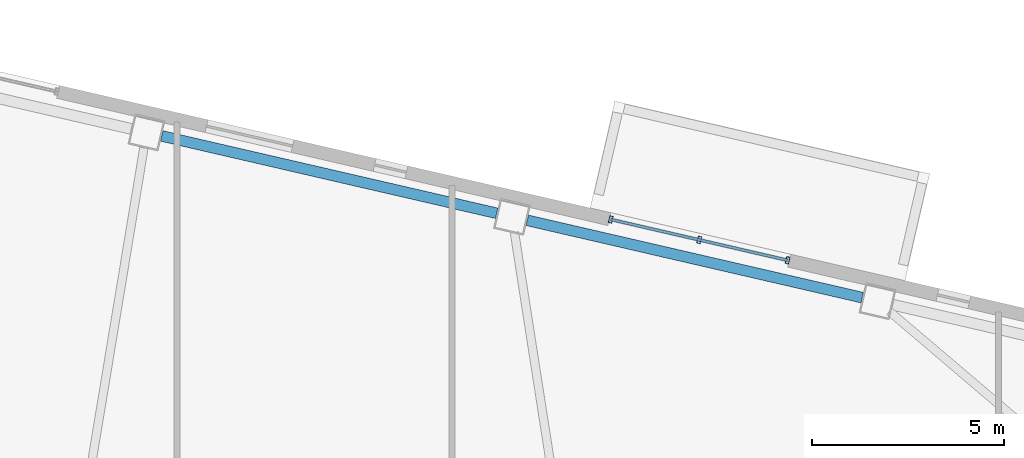
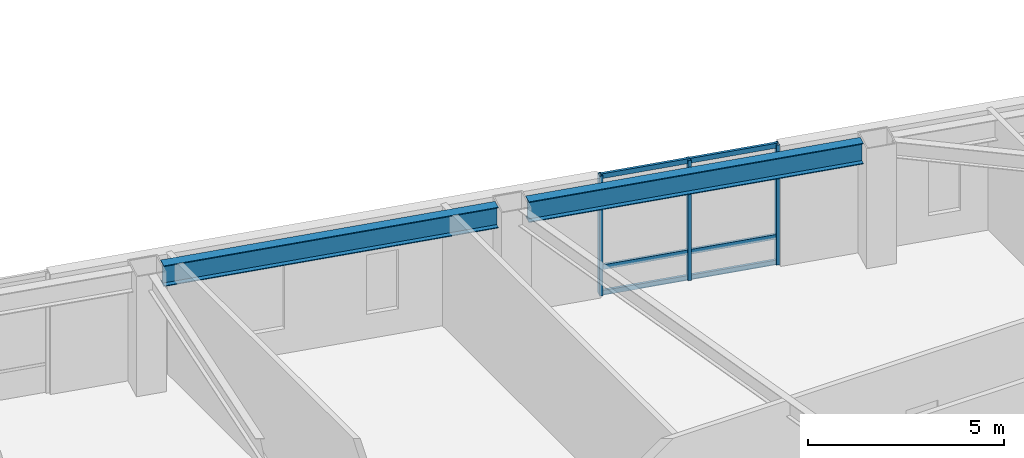
# One storey, part 7 of 19: 6 members, 2 beams, 1 element without a shape of its own.
"""IFC4 building model written with IfcOpenShell, lengths in metres."""

import ifcopenshell
import ifcopenshell.guid

model = None  # the IFC model being written
_history = None  # IfcOwnerHistory: only IFC2X3 demands one
_inside = {}  # id of a spatial element -> (the spatial element, [elements in it])
_under = {}  # id of a project, library or spatial element -> (it, [spatial elements below it])
_declared = {}  # id of a project -> (the project, [libraries it declares])
_typed = {}  # id of a type object -> (the type object, [elements of that type])
_made_of = {}  # id of a material, layer set ... -> (it, [elements and type objects made of it])


def new_model(schema):
    """Start an empty IFC model of exactly this schema.

    Asked for "IFC4X3", IfcOpenShell would pick the latest addendum, in which some entities
    have other attributes; the version numbers below select the first issue.
    IFC2X3 requires an IfcOwnerHistory on every rooted entity: one is made here for all.
    """
    global model, _history
    if schema == "IFC4X3":
        model = ifcopenshell.file(schema_version=(4, 3, 0, 0))
    else:
        model = ifcopenshell.file(schema=schema)
    _inside.clear()
    _under.clear()
    _declared.clear()
    _typed.clear()
    _made_of.clear()
    _history = None
    if model.schema == "IFC2X3":
        org = make("IfcOrganization", Name="unknown")
        user = make(
            "IfcPersonAndOrganization",
            ThePerson=make("IfcPerson", FamilyName="unknown"),
            TheOrganization=org,
        )
        app = make(
            "IfcApplication",
            ApplicationDeveloper=org,
            Version="unknown",
            ApplicationFullName="unknown",
            ApplicationIdentifier="unknown",
        )
        _history = make(
            "IfcOwnerHistory",
            OwningUser=user,
            OwningApplication=app,
            ChangeAction="ADDED",
            CreationDate=0,
        )
    return model


def make(cls, **values):
    """One entity of the class cls with the attributes given. An attribute that is None is left unset."""
    return model.create_entity(
        cls, **{name: value for name, value in values.items() if value is not None}
    )


def rooted(cls, **values):
    """An entity with a GlobalId (a new one), such as an element, a storey or a relation."""
    return make(cls, GlobalId=ifcopenshell.guid.new(), OwnerHistory=_history, **values)


def si_unit(unit_type, name, prefix=None):
    """IfcSIUnit, for example si_unit("LENGTHUNIT", "METRE", prefix="MILLI")."""
    return make("IfcSIUnit", UnitType=unit_type, Prefix=prefix, Name=name)


def assignment(units):
    """IfcUnitAssignment: the units of a project."""
    return None if units is None else make("IfcUnitAssignment", Units=units)


def point(xyz):
    """IfcCartesianPoint."""
    return None if xyz is None else make("IfcCartesianPoint", Coordinates=xyz)


def direction(xyz):
    """IfcDirection."""
    return None if xyz is None else make("IfcDirection", DirectionRatios=xyz)


def frame(location, z_axis=None, x_axis=None):
    """IfcAxis2Placement3D, a coordinate frame: its origin and axes. An axis left out is left unset."""
    return make(
        "IfcAxis2Placement3D",
        Location=point(location),
        Axis=direction(z_axis),
        RefDirection=direction(x_axis),
    )


def frame_2d(location, x_axis=None):
    """IfcAxis2Placement2D, a coordinate frame in the plane: its origin and x axis."""
    return make(
        "IfcAxis2Placement2D", Location=point(location), RefDirection=direction(x_axis)
    )


def origin():
    """The frame at (0, 0, 0) with its axes left unset."""
    return frame((0.0, 0.0, 0.0))


def origin_2d():
    """The frame at (0, 0) in the plane with its x axis left unset."""
    return frame_2d((0.0, 0.0))


def place(relative_to, where):
    """IfcLocalPlacement: puts the frame where relative to a parent placement (None: the world)."""
    return make(
        "IfcLocalPlacement", PlacementRelTo=relative_to, RelativePlacement=where
    )


def context(
    kind, dimensions, precision=None, world=None, true_north=None, identifier=None
):
    """IfcGeometricRepresentationContext, for example the 3D "Model" context."""
    return make(
        "IfcGeometricRepresentationContext",
        ContextIdentifier=identifier,
        ContextType=kind,
        CoordinateSpaceDimension=dimensions,
        Precision=precision,
        WorldCoordinateSystem=world,
        TrueNorth=true_north,
    )


def subcontext(parent, identifier, kind, view, scale=None):
    """IfcGeometricRepresentationSubContext, for example "Body" below "Model"."""
    return make(
        "IfcGeometricRepresentationSubContext",
        ContextIdentifier=identifier,
        ContextType=kind,
        ParentContext=parent,
        TargetScale=scale,
        TargetView=view,
    )


def project(units=None, contexts=None):
    """IfcProject with its units and contexts."""
    return rooted(
        "IfcProject",
        Name="project",
        RepresentationContexts=contexts,
        UnitsInContext=assignment(units),
    )


def spatial(cls, under=None, at=None, **own):
    """A site, building, storey or space (cls), placed at a placement, below another one or the project."""
    s = rooted(cls, ObjectPlacement=at, **own)
    if under is not None:
        _under.setdefault(under.id(), (under, []))[1].append(s)
    return s


def profile(cls, at=None, kind="AREA", **sizes):
    """A parametric profile (cls). Its sizes go by their IFC names, for example OverallWidth=200.0."""
    return make(cls, ProfileType=kind, Position=at, **sizes)


def hollow_rectangle(**sizes):
    """IfcRectangleHollowProfileDef."""
    return profile("IfcRectangleHollowProfileDef", **sizes)


def i_section(**sizes):
    """IfcIShapeProfileDef."""
    return profile("IfcIShapeProfileDef", **sizes)


def extrude(swept, where, along, depth):
    """IfcExtrudedAreaSolid: the profile swept, set in the frame where, extruded along a direction by depth."""
    return make(
        "IfcExtrudedAreaSolid",
        SweptArea=swept,
        Position=where,
        ExtrudedDirection=direction(along),
        Depth=depth,
    )


def shape(context_of_items, identifier, shape_type, items):
    """IfcShapeRepresentation: the items that make up one representation, for example the "Body"."""
    return make(
        "IfcShapeRepresentation",
        ContextOfItems=context_of_items,
        RepresentationIdentifier=identifier,
        RepresentationType=shape_type,
        Items=items,
    )


def material(Name=None, Category=None):
    """IfcMaterial."""
    return make("IfcMaterial", Name=Name, Category=Category)


def layer(
    of_material, thickness, ventilated=None, Name=None, Category=None, Priority=None
):
    """IfcMaterialLayer: one layer of a wall or slab, of a material (None: an air gap)."""
    return make(
        "IfcMaterialLayer",
        Material=of_material,
        LayerThickness=thickness,
        IsVentilated=ventilated,
        Name=Name,
        Category=Category,
        Priority=Priority,
    )


def layer_set(layers, Name=None):
    """IfcMaterialLayerSet."""
    return make("IfcMaterialLayerSet", MaterialLayers=layers, LayerSetName=Name)


def material_profile(
    of_material, cross_section, Name=None, Category=None, Priority=None
):
    """IfcMaterialProfile: a cross section and its material."""
    return make(
        "IfcMaterialProfile",
        Name=Name,
        Material=of_material,
        Profile=cross_section,
        Priority=Priority,
        Category=Category,
    )


def profile_set(profiles, Name=None, composite=None):
    """IfcMaterialProfileSet."""
    return make(
        "IfcMaterialProfileSet",
        Name=Name,
        MaterialProfiles=profiles,
        CompositeProfile=composite,
    )


def made_of(thing, what):
    """Note that an element or type object is made of a material, layer set ...; save() writes the relation."""
    if what is not None:
        _made_of.setdefault(what.id(), (what, []))[1].append(thing)
    return thing


def type_object(cls, material=None, **own):
    """A type object (cls), such as IfcWallType, which elements share."""
    return made_of(rooted(cls, **own), material)


def element(
    cls,
    number,
    at=None,
    inside=None,
    cuts=None,
    type_object=None,
    material=None,
    context=None,
    identifier="Body",
    shape_type=None,
    held_by="IfcProductDefinitionShape",
    body=None,
    shapes=None,
    **own,
):
    """One element of the class cls, such as IfcWall. Its Tag is "e" and its number.

    at: its placement. inside: the storey or other place that contains it. cuts: it is an
    opening in that element (IfcRelVoidsElement). A single representation is given by context,
    identifier, shape_type and body (its items); several are given by shapes. held_by: the class
    of the entity that holds the representations. save() writes the other relations.
    """
    e = rooted(cls, Tag="e%d" % number, ObjectPlacement=at, **own)
    if body is not None:
        shapes = [shape(context, identifier, shape_type, body)]
    if shapes is not None:
        e.Representation = make(held_by, Representations=shapes)
    if inside is not None:
        _inside.setdefault(inside.id(), (inside, []))[1].append(e)
    if cuts is not None:
        rooted(
            "IfcRelVoidsElement", RelatingBuildingElement=cuts, RelatedOpeningElement=e
        )
    if type_object is not None:
        _typed.setdefault(type_object.id(), (type_object, []))[1].append(e)
    return made_of(e, material)


def aggregate(whole, parts):
    """IfcRelAggregates: a whole, such as a stair, and the parts it consists of."""
    return rooted("IfcRelAggregates", RelatingObject=whole, RelatedObjects=parts)


def save(model, path):
    """Write the relations noted so far, then the file.

    IfcRelAggregates (storeys below a building ...), IfcRelContainedInSpatialStructure (elements
    in a storey), IfcRelDefinesByType, IfcRelAssociatesMaterial and IfcRelDeclares: one each for
    every whole, place, type object, material and project.
    """
    for whole, parts in _under.values():
        aggregate(whole, parts)
    for where, things in _inside.values():
        rooted(
            "IfcRelContainedInSpatialStructure",
            RelatedElements=things,
            RelatingStructure=where,
        )
    for kind, things in _typed.values():
        rooted("IfcRelDefinesByType", RelatedObjects=things, RelatingType=kind)
    for what, things in _made_of.values():
        rooted("IfcRelAssociatesMaterial", RelatedObjects=things, RelatingMaterial=what)
    for by, libraries in _declared.values():
        rooted("IfcRelDeclares", RelatingContext=by, RelatedDefinitions=libraries)
    model.write(path)


model = new_model("IFC4")

# Units and contexts
model_context = context("Model", 3, precision=1e-05, world=origin(), true_north=direction((0.0, 1.0)))
body_context = subcontext(model_context, "Body", "Model", "MODEL_VIEW")
ifc_project = project(units=[si_unit("LENGTHUNIT", "METRE"), si_unit("AREAUNIT", "SQUARE_METRE"), si_unit("VOLUMEUNIT", "CUBIC_METRE"), si_unit("PLANEANGLEUNIT", "RADIAN"), si_unit("MASSUNIT", "GRAM", prefix="KILO")], contexts=[model_context])

# Site, building, storey
site_placement = place(None, origin())
site = spatial("IfcSite", under=ifc_project, at=site_placement, CompositionType="ELEMENT")
building_placement = place(site_placement, origin())
building = spatial("IfcBuilding", under=site, at=building_placement, Name="Tavrogorsk Clinical Tower", CompositionType="ELEMENT")
storey_placement = place(building_placement, frame((0.0, 0.0, 75.39990234375)))
storey = spatial("IfcBuildingStorey", under=building, at=storey_placement, Name="L16", CompositionType="ELEMENT", Elevation=75.39990234375)

# Curtain wall, members
ifc_material_1 = material(Name="Anodised aluminium and triple IGU glazing", Category="aluminium")
ifc_layer = layer(ifc_material_1, 0.179931640625)
ifc_layer_set = layer_set([ifc_layer], Name="Anodised aluminium and triple IGU glazing")
curtain_wall_type = type_object("IfcCurtainWallType", Name="CW2_NorthSlot", PredefinedType="NOTDEFINED", material=ifc_layer_set)
curtain_wall_placement = place(storey_placement, origin())
curtain_wall = element("IfcCurtainWall", 1, at=curtain_wall_placement, inside=storey, type_object=curtain_wall_type, Name="L16 Curtain Wall CW-L16-N-SLOT-2", PredefinedType="NOTDEFINED")
ifc_material_2 = material(Name="Anodised aluminium alloy AW-6060", Category="aluminium")
ifc_material_profile_1 = material_profile(ifc_material_2, hollow_rectangle(XDim=0.090087890625, YDim=0.179931640625, WallThickness=0.00634765625, at=origin_2d()), Name="RHS-180x90x6.3")
ifc_profile_set_1 = profile_set([ifc_material_profile_1], Name="Anodised aluminium alloy AW-6060")
member_type_1 = type_object("IfcMemberType", Name="CwMullion_180x90", PredefinedType="MULLION", material=ifc_profile_set_1)
member_1_placement = place(storey_placement, frame((15.117919921875, 20.254638671875, 0.0), z_axis=(0.0, 0.0, 1.0), x_axis=(-0.974370046851, 0.224951132027, 0.0)))
member_1 = element("IfcMember", 2, at=member_1_placement, type_object=member_type_1, Name="CW-L16-N-SLOT-2 Mullion 1", PredefinedType="MULLION", context=body_context, shape_type="SweptSolid", body=[
    extrude(hollow_rectangle(XDim=0.090087890625, YDim=0.179931640625, WallThickness=0.00634765625, at=origin_2d()), origin(), (0.0, 0.0, 1.0), 3.739990234375),
])
member_2_placement = place(storey_placement, frame((12.8193359375, 20.78515625, 0.0), z_axis=(0.0, 0.0, 1.0), x_axis=(-0.974370046851, 0.224951132027, 0.0)))
member_2 = element("IfcMember", 3, at=member_2_placement, type_object=member_type_1, Name="CW-L16-N-SLOT-2 Mullion 2", PredefinedType="MULLION", context=body_context, shape_type="SweptSolid", body=[
    extrude(hollow_rectangle(XDim=0.090087890625, YDim=0.179931640625, WallThickness=0.00634765625, at=origin_2d()), origin(), (0.0, 0.0, 1.0), 3.739990234375),
])
member_3_placement = place(storey_placement, frame((10.520751953125, 21.31591796875, 0.0), z_axis=(0.0, 0.0, 1.0), x_axis=(-0.974370046851, 0.224951132027, 0.0)))
member_3 = element("IfcMember", 4, at=member_3_placement, type_object=member_type_1, Name="CW-L16-N-SLOT-2 Mullion 3", PredefinedType="MULLION", context=body_context, shape_type="SweptSolid", body=[
    extrude(hollow_rectangle(XDim=0.090087890625, YDim=0.179931640625, WallThickness=0.00634765625, at=origin_2d()), origin(), (0.0, 0.0, 1.0), 3.739990234375),
])
ifc_material_3 = material(Name="Anodised aluminium alloy AW-6060", Category="aluminium")
ifc_material_profile_2 = material_profile(ifc_material_3, hollow_rectangle(XDim=0.074951171875, YDim=0.14990234375, WallThickness=0.0048828125, at=origin_2d()), Name="RHS-150x75x5")
ifc_profile_set_2 = profile_set([ifc_material_profile_2], Name="Anodised aluminium alloy AW-6060")
member_type_2 = type_object("IfcMemberType", Name="CwTransom_150x75", PredefinedType="USERDEFINED", material=ifc_profile_set_2)
member_4_placement = place(storey_placement, frame((15.117919921875, 20.254638671875, 0.050048828125), z_axis=(-0.974372877948, 0.22493886885, 0.0), x_axis=(-0.22493886885, -0.974372877948, 0.0)))
member_4 = element("IfcMember", 5, at=member_4_placement, type_object=member_type_2, Name="CW-L16-N-SLOT-2 Transom 1", ObjectType="TRANSOM", PredefinedType="USERDEFINED", context=body_context, shape_type="SweptSolid", body=[
    extrude(hollow_rectangle(XDim=0.074951171875, YDim=0.14990234375, WallThickness=0.0048828125, at=origin_2d()), origin(), (0.0, 0.0, 1.0), 4.718017578125),
])
member_5_placement = place(storey_placement, frame((15.117919921875, 20.254638671875, 0.85009765625), z_axis=(-0.974372877948, 0.22493886885, 0.0), x_axis=(-0.22493886885, -0.974372877948, 0.0)))
member_5 = element("IfcMember", 6, at=member_5_placement, type_object=member_type_2, Name="CW-L16-N-SLOT-2 Transom 2", ObjectType="TRANSOM", PredefinedType="USERDEFINED", context=body_context, shape_type="SweptSolid", body=[
    extrude(hollow_rectangle(XDim=0.074951171875, YDim=0.14990234375, WallThickness=0.0048828125, at=origin_2d()), origin(), (0.0, 0.0, 1.0), 4.718017578125),
])
member_6_placement = place(storey_placement, frame((15.117919921875, 20.254638671875, 3.690185546875), z_axis=(-0.974372877948, 0.22493886885, 0.0), x_axis=(-0.22493886885, -0.974372877948, 0.0)))
member_6 = element("IfcMember", 7, at=member_6_placement, type_object=member_type_2, Name="CW-L16-N-SLOT-2 Transom 3", ObjectType="TRANSOM", PredefinedType="USERDEFINED", context=body_context, shape_type="SweptSolid", body=[
    extrude(hollow_rectangle(XDim=0.074951171875, YDim=0.14990234375, WallThickness=0.0048828125, at=origin_2d()), origin(), (0.0, 0.0, 1.0), 4.718017578125),
])
aggregate(curtain_wall, [member_1, member_2, member_3, member_4, member_5, member_6])

# Beams
ifc_material_4 = material(Name="Structural steel S390", Category="steel")
ifc_material_profile_3 = material_profile(ifc_material_4, i_section(OverallWidth=0.280029296875, OverallDepth=0.64990234375, WebThickness=0.01611328125, FlangeThickness=0.02490234375, at=origin_2d()), Name="B-650x280x16x25")
ifc_profile_set_3 = profile_set([ifc_material_profile_3], Name="Structural steel S390")
beam_type = type_object("IfcBeamType", Name="SpandrelBeam_B650", PredefinedType="SPANDREL", material=ifc_profile_set_3)
for number, where, z_axis, x_axis, name in (
    (8, (17.056396484375, 19.28369140625, 3.4150390625), (-0.974372766602, 0.224939351168, 0.0), (-0.224939351168, -0.974372766602, 0.0), "L16 Perimeter Spandrel N3-N4"),
    (9, (7.5576171875, 21.4765625, 3.4150390625), (-0.974366775889, 0.224965299645, 0.0), (-0.224965299645, -0.974366775889, 0.0), "L16 Perimeter Spandrel N4-N5"),
):
    element("IfcBeam", number, at=place(storey_placement, frame(where, z_axis=z_axis, x_axis=x_axis)), inside=storey, type_object=beam_type, Name=name, PredefinedType="SPANDREL", context=body_context, shape_type="SweptSolid", body=[
        extrude(i_section(OverallWidth=0.280029296875, OverallDepth=0.64990234375, WebThickness=0.01611328125, FlangeThickness=0.02490234375, at=origin_2d()), origin(), (0.0, 0.0, 1.0), 8.9326171875),
    ])

save(model, "model.ifc")
